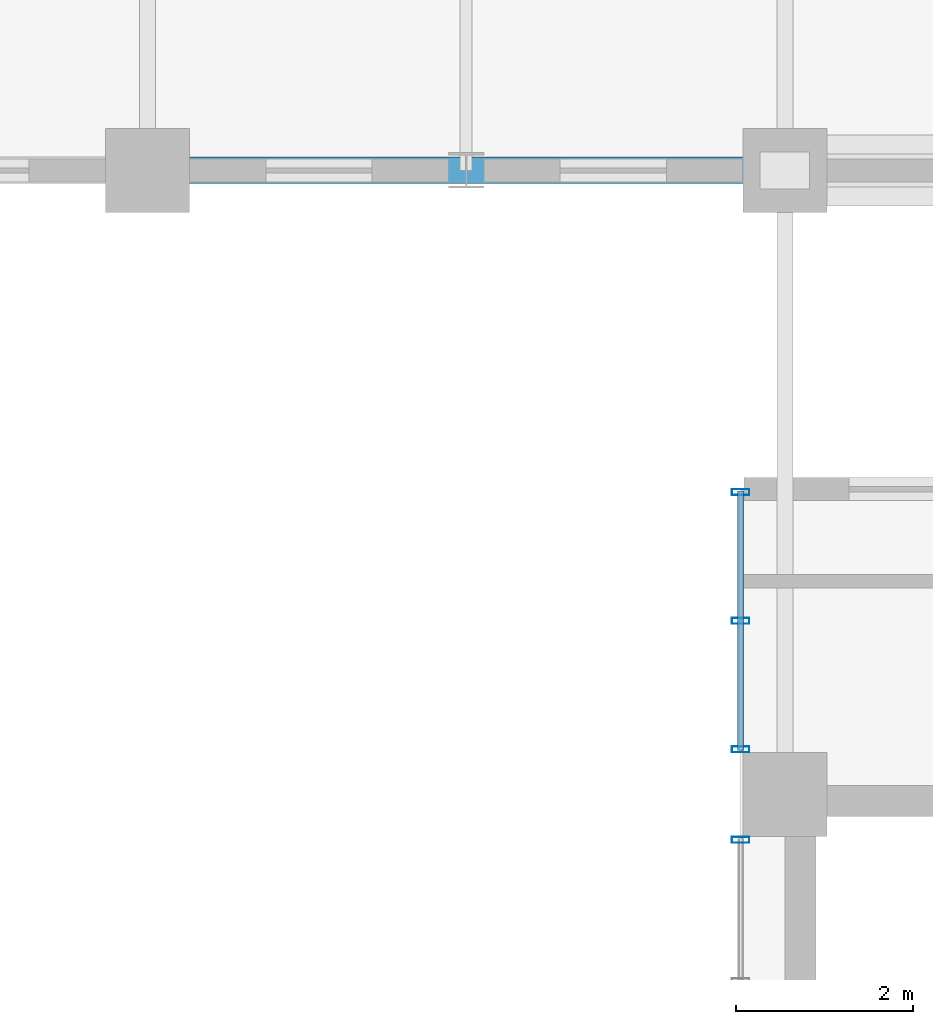
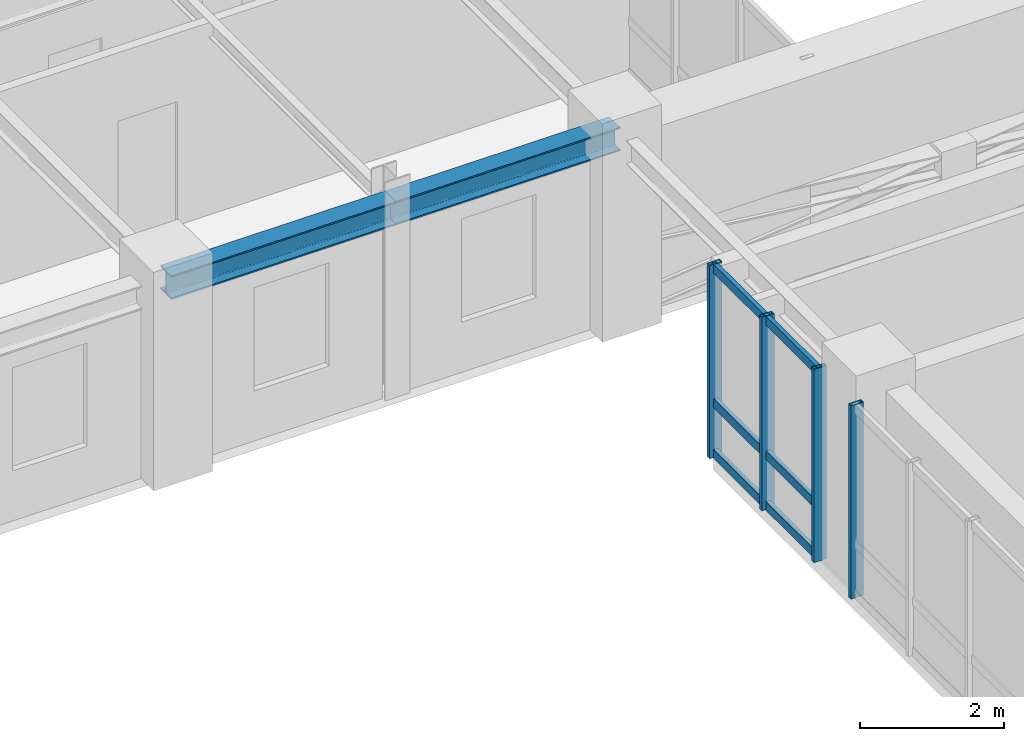
# One storey, part 6 of 23: 7 members, 2 beams, 2 elements without a shape of their own.
"""IFC4 building model written with IfcOpenShell, lengths in metres."""

from ifc_helpers import new_model, si_unit, direction, frame, origin, origin_2d, place, context, subcontext, project, spatial, hollow_rectangle, i_section, extrude, source, transform, mapped, material, layer, layer_set, material_profile, profile_set, type_object, element, aggregate, save


model = new_model("IFC4")

# Units and contexts
model_context = context("Model", 3, precision=1e-05, world=origin(), true_north=direction((0.0, 1.0)))
body_context = subcontext(model_context, "Body", "Model", "MODEL_VIEW")
ifc_project = project(units=[si_unit("LENGTHUNIT", "METRE"), si_unit("AREAUNIT", "SQUARE_METRE"), si_unit("VOLUMEUNIT", "CUBIC_METRE"), si_unit("PLANEANGLEUNIT", "RADIAN"), si_unit("MASSUNIT", "GRAM", prefix="KILO")], contexts=[model_context])

# Site, building, storey
site_placement = place(None, origin())
site = spatial("IfcSite", under=ifc_project, at=site_placement, CompositionType="ELEMENT")
building_placement = place(site_placement, origin())
building = spatial("IfcBuilding", under=site, at=building_placement, Name="Kaliganga Portal Commons", CompositionType="ELEMENT")
storey_placement = place(building_placement, frame((0.0, 0.0, 246.199951171875)))
storey = spatial("IfcBuildingStorey", under=building, at=storey_placement, Name="L63", CompositionType="ELEMENT", Elevation=246.199951171875)

# Beams
ifc_material_1 = material(Name="Structural steel S355J2", Category="steel")
ifc_material_profile_1 = material_profile(ifc_material_1, i_section(OverallWidth=0.300048828125, OverallDepth=0.39990234375, WebThickness=0.013427734375, FlangeThickness=0.02392578125, FilletRadius=0.027099609375, at=origin_2d()), Name="HE 400 B")
ifc_profile_set_1 = profile_set([ifc_material_profile_1], Name="Structural steel S355J2 wide-flange")
beam_type = type_object("IfcBeamType", Name="BM-SPAND-400", PredefinedType="SPANDREL", material=ifc_profile_set_1)
shared_shape_1 = source(origin(), body_context, "Body", "SweptSolid", [
    extrude(i_section(OverallWidth=0.300048828125, OverallDepth=0.39990234375, WebThickness=0.013427734375, FlangeThickness=0.02392578125, FilletRadius=0.027099609375, at=origin_2d()), origin(), (0.0, 0.0, 1.0), 3.60009765625),
])
beam_1_placement = place(storey_placement, frame((32.39990234375, 21.60009765625, 3.080078125), z_axis=(1.0, 0.0, 0.0), x_axis=(0.0, 1.0, 0.0)))
element("IfcBeam", 1, at=beam_1_placement, inside=storey, type_object=beam_type, Name="BM SP L63 AS 6", PredefinedType="SPANDREL", context=body_context, shape_type="MappedRepresentation", body=[
    mapped(shared_shape_1, transform((0.0, 0.0, 0.0), x_axis=(1.0, 0.0, 0.0), y_axis=(0.0, 1.0, 0.0), z_axis=(0.0, 0.0, 1.0), scale=1.0)),
])
shared_shape_2 = source(origin(), body_context, "Body", "SweptSolid", [
    extrude(i_section(OverallWidth=0.300048828125, OverallDepth=0.39990234375, WebThickness=0.013427734375, FlangeThickness=0.02392578125, FilletRadius=0.027099609375, at=origin_2d()), origin(), (0.0, 0.0, 1.0), 3.599853515625),
])
beam_2_placement = place(storey_placement, frame((28.800048828125, 21.60009765625, 3.080078125), z_axis=(1.0, 0.0, 0.0), x_axis=(0.0, 1.0, 0.0)))
element("IfcBeam", 2, at=beam_2_placement, inside=storey, type_object=beam_type, Name="BM SP L63 AS 5", PredefinedType="SPANDREL", context=body_context, shape_type="MappedRepresentation", body=[
    mapped(shared_shape_2, transform((0.0, 0.0, 0.0), x_axis=(1.0, 0.0, 0.0), y_axis=(0.0, 1.0, 0.0), z_axis=(0.0, 0.0, 1.0), scale=1.0)),
])

# Curtain wall, members
ifc_material_2 = material(Name="Anodized Aluminium and Laminated Low-E Glass", Category="aluminium")
ifc_layer = layer(ifc_material_2, 0.239990234375)
ifc_layer_set = layer_set([ifc_layer], Name="Anodized Aluminium and Laminated Low-E Glass")
curtain_wall_type = type_object("IfcCurtainWallType", Name="CW-SYS-04", PredefinedType="NOTDEFINED", material=ifc_layer_set)
curtain_wall_1_placement = place(storey_placement, origin())
curtain_wall_1 = element("IfcCurtainWall", 3, at=curtain_wall_1_placement, inside=storey, type_object=curtain_wall_type, Name="CW 04 L63 P2E09S1", PredefinedType="NOTDEFINED")
ifc_material_3 = material(Name="Dark Bronze Anodized Aluminium", Category="aluminium")
ifc_material_profile_2 = material_profile(ifc_material_3, hollow_rectangle(XDim=0.070068359375, YDim=0.14990234375, WallThickness=0.00341796875, at=origin_2d()), Name="ALU TRAN 70x150x3.5")
ifc_profile_set_2 = profile_set([ifc_material_profile_2], Name="Dark Bronze Anodized Aluminium")
member_type_1 = type_object("IfcMemberType", Name="CW-TRN-150", PredefinedType="USERDEFINED", material=ifc_profile_set_2)
shared_shape_3 = source(origin(), body_context, "Body", "SweptSolid", [
    extrude(hollow_rectangle(XDim=0.070068359375, YDim=0.14990234375, WallThickness=0.00341796875, at=origin_2d()), origin(), (0.0, 0.0, 1.0), 2.93408203125),
])
member_1_placement = place(storey_placement, frame((35.5, 17.97998046875, 0.06005859375), z_axis=(0.0, -1.0, 0.0), x_axis=(1.0, 0.0, 0.0)))
member_1 = element("IfcMember", 4, at=member_1_placement, type_object=member_type_1, Name="CW:04:L63:P2E09S1 Transom 1", ObjectType="TRANSOM", PredefinedType="USERDEFINED", context=body_context, shape_type="MappedRepresentation", body=[
    mapped(shared_shape_3, transform((0.0, 0.0, 0.0), x_axis=(1.0, 0.0, 0.0), y_axis=(0.0, 1.0, 0.0), z_axis=(0.0, 0.0, 1.0), scale=1.0)),
])
member_2_placement = place(storey_placement, frame((35.5, 17.97998046875, 0.91845703125), z_axis=(0.0, -1.0, 0.0), x_axis=(1.0, 0.0, 0.0)))
member_2 = element("IfcMember", 5, at=member_2_placement, type_object=member_type_1, Name="CW:04:L63:P2E09S1 Transom 2", ObjectType="TRANSOM", PredefinedType="USERDEFINED", context=body_context, shape_type="MappedRepresentation", body=[
    mapped(shared_shape_3, transform((0.0, 0.0, 0.0), x_axis=(1.0, 0.0, 0.0), y_axis=(0.0, 1.0, 0.0), z_axis=(0.0, 0.0, 1.0), scale=1.0)),
])
member_3_placement = place(storey_placement, frame((35.5, 17.97998046875, 3.199951171875), z_axis=(0.0, -1.0, 0.0), x_axis=(1.0, 0.0, 0.0)))
member_3 = element("IfcMember", 6, at=member_3_placement, type_object=member_type_1, Name="CW:04:L63:P2E09S1 Transom 3", ObjectType="TRANSOM", PredefinedType="USERDEFINED", context=body_context, shape_type="MappedRepresentation", body=[
    mapped(shared_shape_3, transform((0.0, 0.0, 0.0), x_axis=(1.0, 0.0, 0.0), y_axis=(0.0, 1.0, 0.0), z_axis=(0.0, 0.0, 1.0), scale=1.0)),
])
ifc_material_profile_3 = material_profile(ifc_material_3, hollow_rectangle(XDim=0.070068359375, YDim=0.199951171875, WallThickness=0.00390625, at=origin_2d()), Name="ALU MULL 70x200x4")
ifc_profile_set_3 = profile_set([ifc_material_profile_3], Name="Dark Bronze Anodized Aluminium")
member_type_2 = type_object("IfcMemberType", Name="CW-MUL-220", PredefinedType="MULLION", material=ifc_profile_set_3)
shared_shape_4 = source(origin(), body_context, "Body", "SweptSolid", [
    extrude(hollow_rectangle(XDim=0.070068359375, YDim=0.199951171875, WallThickness=0.00390625, at=origin_2d()), origin(), (0.0, 0.0, 1.0), 3.280029296875),
])
member_4_placement = place(storey_placement, frame((35.5, 17.965087890625, 0.0), z_axis=(0.0, 0.0, 1.0), x_axis=(0.0, -1.0, 0.0)))
member_4 = element("IfcMember", 7, at=member_4_placement, type_object=member_type_2, Name="CW:04:L63:P2E09S1 Mullion 00", PredefinedType="MULLION", context=body_context, shape_type="MappedRepresentation", body=[
    mapped(shared_shape_4, transform((0.0, 0.0, 0.0), x_axis=(1.0, 0.0, 0.0), y_axis=(0.0, 1.0, 0.0), z_axis=(0.0, 0.0, 1.0), scale=1.0)),
])
member_5_placement = place(storey_placement, frame((35.5, 16.512939453125, 0.0), z_axis=(0.0, 0.0, 1.0), x_axis=(0.0, -1.0, 0.0)))
member_5 = element("IfcMember", 8, at=member_5_placement, type_object=member_type_2, Name="CW:04:L63:P2E09S1 Mullion 01", PredefinedType="MULLION", context=body_context, shape_type="MappedRepresentation", body=[
    mapped(shared_shape_4, transform((0.0, 0.0, 0.0), x_axis=(1.0, 0.0, 0.0), y_axis=(0.0, 1.0, 0.0), z_axis=(0.0, 0.0, 1.0), scale=1.0)),
])
member_6_placement = place(storey_placement, frame((35.5, 15.06103515625, 0.0), z_axis=(0.0, 0.0, 1.0), x_axis=(0.0, -1.0, 0.0)))
member_6 = element("IfcMember", 9, at=member_6_placement, type_object=member_type_2, Name="CW:04:L63:P2E09S1 Mullion 02", PredefinedType="MULLION", context=body_context, shape_type="MappedRepresentation", body=[
    mapped(shared_shape_4, transform((0.0, 0.0, 0.0), x_axis=(1.0, 0.0, 0.0), y_axis=(0.0, 1.0, 0.0), z_axis=(0.0, 0.0, 1.0), scale=1.0)),
])
aggregate(curtain_wall_1, [member_4, member_5, member_6, member_1, member_2, member_3])

# Curtain wall, member
curtain_wall_2_placement = place(storey_placement, origin())
curtain_wall_2 = element("IfcCurtainWall", 10, at=curtain_wall_2_placement, inside=storey, type_object=curtain_wall_type, Name="CW 04 L63 P2E09S2", PredefinedType="NOTDEFINED")
member_7_placement = place(storey_placement, frame((35.5, 14.0390625, 0.0), z_axis=(0.0, 0.0, 1.0), x_axis=(0.0, -1.0, 0.0)))
member_7 = element("IfcMember", 11, at=member_7_placement, type_object=member_type_2, Name="CW:04:L63:P2E09S2 Mullion 00", PredefinedType="MULLION", context=body_context, shape_type="MappedRepresentation", body=[
    mapped(shared_shape_4, transform((0.0, 0.0, 0.0), x_axis=(1.0, 0.0, 0.0), y_axis=(0.0, 1.0, 0.0), z_axis=(0.0, 0.0, 1.0), scale=1.0)),
])
aggregate(curtain_wall_2, [member_7])

save(model, "model.ifc")
